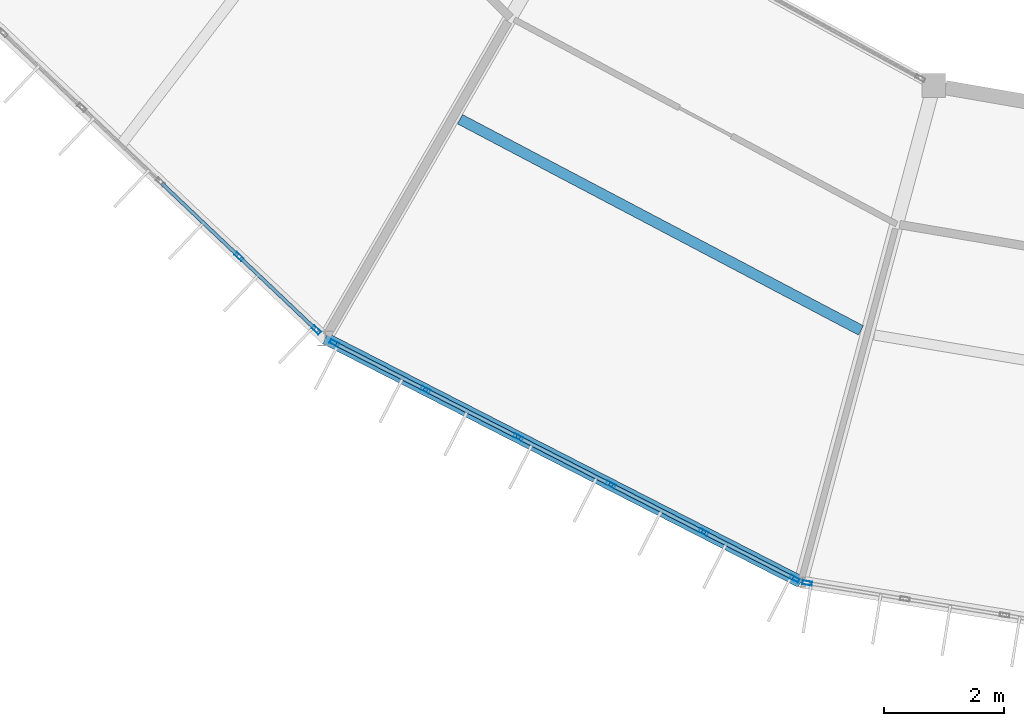
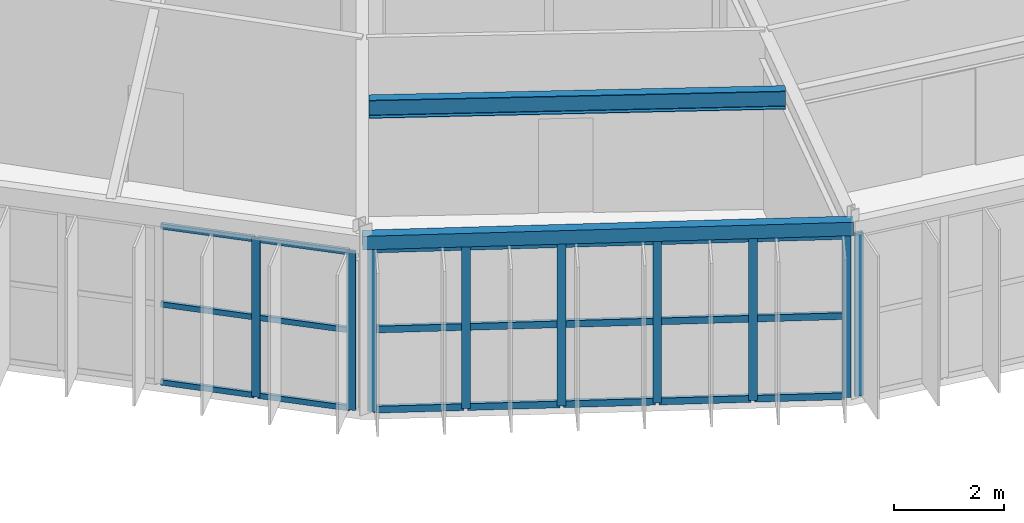
# One storey, part 21 of 134: 30 members, 2 beams, 3 elements without a shape of their own.
"""IFC4 building model written with IfcOpenShell, lengths in metres."""

from ifc_helpers import new_model, si_unit, direction, frame, origin, origin_2d, place, context, subcontext, project, spatial, hollow_rectangle, i_section, extrude, material, material_profile, profile_set, type_object, element, aggregate, save


model = new_model("IFC4")

# Units and contexts
model_context = context("Model", 3, precision=1e-05, world=origin(), true_north=direction((0.0, 1.0)))
body_context = subcontext(model_context, "Body", "Model", "MODEL_VIEW")
ifc_project = project(units=[si_unit("LENGTHUNIT", "METRE"), si_unit("AREAUNIT", "SQUARE_METRE"), si_unit("VOLUMEUNIT", "CUBIC_METRE"), si_unit("PLANEANGLEUNIT", "RADIAN"), si_unit("MASSUNIT", "GRAM", prefix="KILO")], contexts=[model_context])

# Site, building, storey
site_placement = place(None, origin())
site = spatial("IfcSite", under=ifc_project, at=site_placement, CompositionType="ELEMENT")
building_placement = place(site_placement, origin())
building = spatial("IfcBuilding", under=site, at=building_placement, Name="Karori Crest Natural Sciences Institute", CompositionType="ELEMENT")
storey_placement = place(building_placement, frame((0.0, 0.0, 21.699951171875)))
storey = spatial("IfcBuildingStorey", under=building, at=storey_placement, Name="L05", CompositionType="ELEMENT", Elevation=21.699951171875)

# Beams
ifc_material_1 = material(Name="Hollow structural steel AS/NZS 1163 Grade C350", Category="steel")
ifc_material_profile_1 = material_profile(ifc_material_1, hollow_rectangle(XDim=0.199951171875, YDim=0.300048828125, WallThickness=0.010009765625, at=origin_2d()), Name="RHS300x200x10")
ifc_profile_set_1 = profile_set([ifc_material_profile_1], Name="Hollow structural steel AS/NZS 1163 Grade C350")
beam_type_1 = type_object("IfcBeamType", Name="BT-15", PredefinedType="SPANDREL", material=ifc_profile_set_1)
beam_1_placement = place(storey_placement, frame((49.89990234375, 14.566162109375, 3.7900390625), z_axis=(0.890071733872, -0.455820478436, 0.0), x_axis=(0.455820478436, 0.890071733872, 0.0)))
element("IfcBeam", 1, at=beam_1_placement, inside=storey, type_object=beam_type_1, Name="Beam B-0588", PredefinedType="SPANDREL", context=body_context, shape_type="SweptSolid", body=[
    extrude(hollow_rectangle(XDim=0.199951171875, YDim=0.300048828125, WallThickness=0.010009765625, at=origin_2d()), origin(), (0.0, 0.0, 1.0), 8.94189453125),
])
ifc_material_2 = material(Name="Structural steel AS/NZS 3679.1 Grade 350", Category="steel")
ifc_material_profile_2 = material_profile(ifc_material_2, i_section(OverallWidth=0.177978515625, OverallDepth=0.403076171875, WebThickness=0.007568359375, FlangeThickness=0.010986328125, FilletRadius=0.010986328125, at=origin_2d()), Name="410UB53.7")
ifc_profile_set_2 = profile_set([ifc_material_profile_2], Name="Structural steel AS/NZS 3679.1 Grade 350")
beam_type_2 = type_object("IfcBeamType", Name="BT-29", PredefinedType="BEAM", material=ifc_profile_set_2)
beam_2_placement = place(storey_placement, frame((52.15625, 18.234130859375, 3.738525390625), z_axis=(0.884748465601, -0.466068828197, 0.0), x_axis=(0.466068828197, 0.884748465601, 0.0)))
element("IfcBeam", 2, at=beam_2_placement, inside=storey, type_object=beam_type_2, Name="Beam B-0591", PredefinedType="BEAM", context=body_context, shape_type="SweptSolid", body=[
    extrude(i_section(OverallWidth=0.177978515625, OverallDepth=0.403076171875, WebThickness=0.007568359375, FlangeThickness=0.010986328125, FilletRadius=0.010986328125, at=origin_2d()), origin(), (0.0, 0.0, 1.0), 7.58349609375),
])

# Curtain wall, members
ifc_material_3 = material(Name="Anodised architectural aluminium 6063-T6", Category="aluminium")
curtain_wall_type_1 = type_object("IfcCurtainWallType", Name="CWT-06", PredefinedType="NOTDEFINED", material=ifc_material_3)
curtain_wall_1_placement = place(storey_placement, origin())
curtain_wall_1 = element("IfcCurtainWall", 3, at=curtain_wall_1_placement, inside=storey, type_object=curtain_wall_type_1, Name="Curtain wall CW-0195", PredefinedType="NOTDEFINED")
ifc_material_profile_3 = material_profile(ifc_material_3, hollow_rectangle(XDim=0.06494140625, YDim=0.159912109375, WallThickness=0.00390625, at=origin_2d()), Name="CWM160x65x4")
ifc_profile_set_3 = profile_set([ifc_material_profile_3], Name="Anodised architectural aluminium 6063-T6")
member_type_1 = type_object("IfcMemberType", Name="CWM-01", PredefinedType="MULLION", material=ifc_profile_set_3)
member_1_placement = place(storey_placement, frame((49.750732421875, 14.707763671875, 0.0), z_axis=(0.0, 0.0, 1.0), x_axis=(-0.688252251648, -0.725471459192, 0.0)))
member_1 = element("IfcMember", 4, at=member_1_placement, type_object=member_type_1, Name="CW-0195 mullion 1", PredefinedType="MULLION", context=body_context, shape_type="SweptSolid", body=[
    extrude(hollow_rectangle(XDim=0.06494140625, YDim=0.159912109375, WallThickness=0.00390625, at=origin_2d()), origin(), (0.0, 0.0, 1.0), 3.525146484375),
])
member_2_placement = place(storey_placement, frame((48.4580078125, 15.934326171875, 0.0), z_axis=(0.0, 0.0, 1.0), x_axis=(-0.688252251648, -0.725471459192, 0.0)))
member_2 = element("IfcMember", 5, at=member_2_placement, type_object=member_type_1, Name="CW-0195 mullion 2", PredefinedType="MULLION", context=body_context, shape_type="SweptSolid", body=[
    extrude(hollow_rectangle(XDim=0.06494140625, YDim=0.159912109375, WallThickness=0.00390625, at=origin_2d()), origin(), (0.0, 0.0, 1.0), 3.525146484375),
])

curtain_wall_type_2 = type_object("IfcCurtainWallType", Name="CWT-07", PredefinedType="NOTDEFINED", material=ifc_material_3)
curtain_wall_2_placement = place(storey_placement, origin())
curtain_wall_2 = element("IfcCurtainWall", 6, at=curtain_wall_2_placement, inside=storey, type_object=curtain_wall_type_2, Name="Curtain wall CW-0196", PredefinedType="NOTDEFINED")
member_3_placement = place(storey_placement, frame((57.7548828125, 10.54345703125, 0.0), z_axis=(0.0, 0.0, 1.0), x_axis=(-0.455828878252, -0.890067432138, 0.0)))
member_3 = element("IfcMember", 7, at=member_3_placement, type_object=member_type_1, Name="CW-0196 mullion 1", PredefinedType="MULLION", context=body_context, shape_type="SweptSolid", body=[
    extrude(hollow_rectangle(XDim=0.06494140625, YDim=0.159912109375, WallThickness=0.00390625, at=origin_2d()), origin(), (0.0, 0.0, 1.0), 3.625),
])
member_4_placement = place(storey_placement, frame((56.232177734375, 11.323486328125, 0.0), z_axis=(0.0, 0.0, 1.0), x_axis=(-0.455828878252, -0.890067432138, 0.0)))
member_4 = element("IfcMember", 8, at=member_4_placement, type_object=member_type_1, Name="CW-0196 mullion 2", PredefinedType="MULLION", context=body_context, shape_type="SweptSolid", body=[
    extrude(hollow_rectangle(XDim=0.06494140625, YDim=0.159912109375, WallThickness=0.00390625, at=origin_2d()), origin(), (0.0, 0.0, 1.0), 3.625),
])
member_5_placement = place(storey_placement, frame((54.680419921875, 12.1181640625, 0.0), z_axis=(0.0, 0.0, 1.0), x_axis=(-0.455828878252, -0.890067432138, 0.0)))
member_5 = element("IfcMember", 9, at=member_5_placement, type_object=member_type_1, Name="CW-0196 mullion 3", PredefinedType="MULLION", context=body_context, shape_type="SweptSolid", body=[
    extrude(hollow_rectangle(XDim=0.06494140625, YDim=0.159912109375, WallThickness=0.00390625, at=origin_2d()), origin(), (0.0, 0.0, 1.0), 3.625),
])
member_6_placement = place(storey_placement, frame((53.128662109375, 12.912841796875, 0.0), z_axis=(0.0, 0.0, 1.0), x_axis=(-0.455828878252, -0.890067432138, 0.0)))
member_6 = element("IfcMember", 10, at=member_6_placement, type_object=member_type_1, Name="CW-0196 mullion 4", PredefinedType="MULLION", context=body_context, shape_type="SweptSolid", body=[
    extrude(hollow_rectangle(XDim=0.06494140625, YDim=0.159912109375, WallThickness=0.00390625, at=origin_2d()), origin(), (0.0, 0.0, 1.0), 3.625),
])
member_7_placement = place(storey_placement, frame((51.576904296875, 13.70751953125, 0.0), z_axis=(0.0, 0.0, 1.0), x_axis=(-0.455828878252, -0.890067432138, 0.0)))
member_7 = element("IfcMember", 11, at=member_7_placement, type_object=member_type_1, Name="CW-0196 mullion 5", PredefinedType="MULLION", context=body_context, shape_type="SweptSolid", body=[
    extrude(hollow_rectangle(XDim=0.06494140625, YDim=0.159912109375, WallThickness=0.00390625, at=origin_2d()), origin(), (0.0, 0.0, 1.0), 3.625),
])
member_8_placement = place(storey_placement, frame((50.05419921875, 14.4873046875, 0.0), z_axis=(0.0, 0.0, 1.0), x_axis=(-0.455828878252, -0.890067432138, 0.0)))
member_8 = element("IfcMember", 12, at=member_8_placement, type_object=member_type_1, Name="CW-0196 mullion 6", PredefinedType="MULLION", context=body_context, shape_type="SweptSolid", body=[
    extrude(hollow_rectangle(XDim=0.06494140625, YDim=0.159912109375, WallThickness=0.00390625, at=origin_2d()), origin(), (0.0, 0.0, 1.0), 3.625),
])

# Curtain wall, member
curtain_wall_type_3 = type_object("IfcCurtainWallType", Name="CWT-08", PredefinedType="NOTDEFINED", material=ifc_material_3)
curtain_wall_3_placement = place(storey_placement, origin())
curtain_wall_3 = element("IfcCurtainWall", 13, at=curtain_wall_3_placement, inside=storey, type_object=curtain_wall_type_3, Name="Curtain wall CW-0198", PredefinedType="NOTDEFINED")
member_9_placement = place(storey_placement, frame((57.966064453125, 10.472900390625, 0.0), z_axis=(0.0, 0.0, 1.0), x_axis=(-0.160655493101, -0.987010543275, 0.0)))
member_9 = element("IfcMember", 14, at=member_9_placement, type_object=member_type_1, Name="CW-0198 mullion 6", PredefinedType="MULLION", context=body_context, shape_type="SweptSolid", body=[
    extrude(hollow_rectangle(XDim=0.06494140625, YDim=0.159912109375, WallThickness=0.00390625, at=origin_2d()), origin(), (0.0, 0.0, 1.0), 3.625),
])
aggregate(curtain_wall_3, [member_9])

# Member
ifc_material_profile_4 = material_profile(ifc_material_3, hollow_rectangle(XDim=0.06005859375, YDim=0.1201171875, WallThickness=0.00390625, at=origin_2d()), Name="CWT120x60x4")
ifc_profile_set_4 = profile_set([ifc_material_profile_4], Name="Anodised architectural aluminium 6063-T6")
member_type_2 = type_object("IfcMemberType", Name="CWT-TR1", PredefinedType="USERDEFINED", material=ifc_profile_set_4)
member_10_placement = place(storey_placement, frame((49.727294921875, 14.72998046875, 0.030029296875), z_axis=(-0.725485539939, 0.68823740914, 0.0), x_axis=(-0.68823740914, -0.725485539939, 0.0)))
member_10 = element("IfcMember", 15, at=member_10_placement, type_object=member_type_2, Name="CW-0195 transom 1.1", ObjectType="TRANSOM", PredefinedType="USERDEFINED", context=body_context, shape_type="SweptSolid", body=[
    extrude(hollow_rectangle(XDim=0.06005859375, YDim=0.1201171875, WallThickness=0.00390625, at=origin_2d()), origin(), (0.0, 0.0, 1.0), 1.71728515625),
])

member_11_placement = place(storey_placement, frame((49.727294921875, 14.72998046875, 1.762451171875), z_axis=(-0.725485539939, 0.68823740914, 0.0), x_axis=(-0.68823740914, -0.725485539939, 0.0)))
member_11 = element("IfcMember", 16, at=member_11_placement, type_object=member_type_2, Name="CW-0195 transom 1.2", ObjectType="TRANSOM", PredefinedType="USERDEFINED", context=body_context, shape_type="SweptSolid", body=[
    extrude(hollow_rectangle(XDim=0.06005859375, YDim=0.1201171875, WallThickness=0.00390625, at=origin_2d()), origin(), (0.0, 0.0, 1.0), 1.71728515625),
])

member_12_placement = place(storey_placement, frame((49.727294921875, 14.72998046875, 3.4951171875), z_axis=(-0.725485539939, 0.68823740914, 0.0), x_axis=(-0.68823740914, -0.725485539939, 0.0)))
member_12 = element("IfcMember", 17, at=member_12_placement, type_object=member_type_2, Name="CW-0195 transom 1.3", ObjectType="TRANSOM", PredefinedType="USERDEFINED", context=body_context, shape_type="SweptSolid", body=[
    extrude(hollow_rectangle(XDim=0.06005859375, YDim=0.1201171875, WallThickness=0.00390625, at=origin_2d()), origin(), (0.0, 0.0, 1.0), 1.71728515625),
])

member_13_placement = place(storey_placement, frame((48.434326171875, 15.95654296875, 0.030029296875), z_axis=(-0.725420823959, 0.688305621194, 0.0), x_axis=(-0.688305621194, -0.725420823959, 0.0)))
member_13 = element("IfcMember", 18, at=member_13_placement, type_object=member_type_2, Name="CW-0195 transom 2.1", ObjectType="TRANSOM", PredefinedType="USERDEFINED", context=body_context, shape_type="SweptSolid", body=[
    extrude(hollow_rectangle(XDim=0.06005859375, YDim=0.1201171875, WallThickness=0.00390625, at=origin_2d()), origin(), (0.0, 0.0, 1.0), 1.749755859375),
])

member_14_placement = place(storey_placement, frame((48.434326171875, 15.95654296875, 1.762451171875), z_axis=(-0.725420823959, 0.688305621194, 0.0), x_axis=(-0.688305621194, -0.725420823959, 0.0)))
member_14 = element("IfcMember", 19, at=member_14_placement, type_object=member_type_2, Name="CW-0195 transom 2.2", ObjectType="TRANSOM", PredefinedType="USERDEFINED", context=body_context, shape_type="SweptSolid", body=[
    extrude(hollow_rectangle(XDim=0.06005859375, YDim=0.1201171875, WallThickness=0.00390625, at=origin_2d()), origin(), (0.0, 0.0, 1.0), 1.749755859375),
])

member_15_placement = place(storey_placement, frame((48.434326171875, 15.95654296875, 3.4951171875), z_axis=(-0.725420823959, 0.688305621194, 0.0), x_axis=(-0.688305621194, -0.725420823959, 0.0)))
member_15 = element("IfcMember", 20, at=member_15_placement, type_object=member_type_2, Name="CW-0195 transom 2.3", ObjectType="TRANSOM", PredefinedType="USERDEFINED", context=body_context, shape_type="SweptSolid", body=[
    extrude(hollow_rectangle(XDim=0.06005859375, YDim=0.1201171875, WallThickness=0.00390625, at=origin_2d()), origin(), (0.0, 0.0, 1.0), 1.749755859375),
])

aggregate(curtain_wall_1, [member_1, member_2, member_10, member_11, member_12, member_13, member_14, member_15])

ifc_material_profile_5 = material_profile(ifc_material_3, hollow_rectangle(XDim=0.06494140625, YDim=0.14990234375, WallThickness=0.00390625, at=origin_2d()), Name="CWT150x65x4")
ifc_profile_set_5 = profile_set([ifc_material_profile_5], Name="Anodised architectural aluminium 6063-T6")
member_type_3 = type_object("IfcMemberType", Name="CWT-TR2", PredefinedType="USERDEFINED", material=ifc_profile_set_5)
member_16_placement = place(storey_placement, frame((57.725830078125, 10.558349609375, 0.032470703125), z_axis=(-0.890053640935, 0.455855806432, 0.0), x_axis=(-0.455855806432, -0.890053640935, 0.0)))
member_16 = element("IfcMember", 21, at=member_16_placement, type_object=member_type_3, Name="CW-0196 transom 1.1", ObjectType="TRANSOM", PredefinedType="USERDEFINED", context=body_context, shape_type="SweptSolid", body=[
    extrude(hollow_rectangle(XDim=0.06494140625, YDim=0.14990234375, WallThickness=0.00390625, at=origin_2d()), origin(), (0.0, 0.0, 1.0), 1.645751953125),
])

member_17_placement = place(storey_placement, frame((57.725830078125, 10.558349609375, 1.8125), z_axis=(-0.890053640935, 0.455855806432, 0.0), x_axis=(-0.455855806432, -0.890053640935, 0.0)))
member_17 = element("IfcMember", 22, at=member_17_placement, type_object=member_type_3, Name="CW-0196 transom 1.2", ObjectType="TRANSOM", PredefinedType="USERDEFINED", context=body_context, shape_type="SweptSolid", body=[
    extrude(hollow_rectangle(XDim=0.06494140625, YDim=0.14990234375, WallThickness=0.00390625, at=origin_2d()), origin(), (0.0, 0.0, 1.0), 1.645751953125),
])

member_18_placement = place(storey_placement, frame((57.725830078125, 10.558349609375, 3.592529296875), z_axis=(-0.890053640935, 0.455855806432, 0.0), x_axis=(-0.455855806432, -0.890053640935, 0.0)))
member_18 = element("IfcMember", 23, at=member_18_placement, type_object=member_type_3, Name="CW-0196 transom 1.3", ObjectType="TRANSOM", PredefinedType="USERDEFINED", context=body_context, shape_type="SweptSolid", body=[
    extrude(hollow_rectangle(XDim=0.06494140625, YDim=0.14990234375, WallThickness=0.00390625, at=origin_2d()), origin(), (0.0, 0.0, 1.0), 1.645751953125),
])

member_19_placement = place(storey_placement, frame((56.203125, 11.338134765625, 0.032470703125), z_axis=(-0.890050562189, 0.455861817601, 0.0), x_axis=(-0.455861817601, -0.890050562189, 0.0)))
member_19 = element("IfcMember", 24, at=member_19_placement, type_object=member_type_3, Name="CW-0196 transom 2.1", ObjectType="TRANSOM", PredefinedType="USERDEFINED", context=body_context, shape_type="SweptSolid", body=[
    extrude(hollow_rectangle(XDim=0.06494140625, YDim=0.14990234375, WallThickness=0.00390625, at=origin_2d()), origin(), (0.0, 0.0, 1.0), 1.678466796875),
])

member_20_placement = place(storey_placement, frame((56.203125, 11.338134765625, 1.8125), z_axis=(-0.890050562189, 0.455861817601, 0.0), x_axis=(-0.455861817601, -0.890050562189, 0.0)))
member_20 = element("IfcMember", 25, at=member_20_placement, type_object=member_type_3, Name="CW-0196 transom 2.2", ObjectType="TRANSOM", PredefinedType="USERDEFINED", context=body_context, shape_type="SweptSolid", body=[
    extrude(hollow_rectangle(XDim=0.06494140625, YDim=0.14990234375, WallThickness=0.00390625, at=origin_2d()), origin(), (0.0, 0.0, 1.0), 1.678466796875),
])

member_21_placement = place(storey_placement, frame((56.203125, 11.338134765625, 3.592529296875), z_axis=(-0.890050562189, 0.455861817601, 0.0), x_axis=(-0.455861817601, -0.890050562189, 0.0)))
member_21 = element("IfcMember", 26, at=member_21_placement, type_object=member_type_3, Name="CW-0196 transom 2.3", ObjectType="TRANSOM", PredefinedType="USERDEFINED", context=body_context, shape_type="SweptSolid", body=[
    extrude(hollow_rectangle(XDim=0.06494140625, YDim=0.14990234375, WallThickness=0.00390625, at=origin_2d()), origin(), (0.0, 0.0, 1.0), 1.678466796875),
])

member_22_placement = place(storey_placement, frame((54.6513671875, 12.1328125, 0.032470703125), z_axis=(-0.890050562189, 0.455861817601, 0.0), x_axis=(-0.455861817601, -0.890050562189, 0.0)))
member_22 = element("IfcMember", 27, at=member_22_placement, type_object=member_type_3, Name="CW-0196 transom 3.1", ObjectType="TRANSOM", PredefinedType="USERDEFINED", context=body_context, shape_type="SweptSolid", body=[
    extrude(hollow_rectangle(XDim=0.06494140625, YDim=0.14990234375, WallThickness=0.00390625, at=origin_2d()), origin(), (0.0, 0.0, 1.0), 1.678466796875),
])

member_23_placement = place(storey_placement, frame((54.6513671875, 12.1328125, 1.8125), z_axis=(-0.890050562189, 0.455861817601, 0.0), x_axis=(-0.455861817601, -0.890050562189, 0.0)))
member_23 = element("IfcMember", 28, at=member_23_placement, type_object=member_type_3, Name="CW-0196 transom 3.2", ObjectType="TRANSOM", PredefinedType="USERDEFINED", context=body_context, shape_type="SweptSolid", body=[
    extrude(hollow_rectangle(XDim=0.06494140625, YDim=0.14990234375, WallThickness=0.00390625, at=origin_2d()), origin(), (0.0, 0.0, 1.0), 1.678466796875),
])

member_24_placement = place(storey_placement, frame((54.6513671875, 12.1328125, 3.592529296875), z_axis=(-0.890050562189, 0.455861817601, 0.0), x_axis=(-0.455861817601, -0.890050562189, 0.0)))
member_24 = element("IfcMember", 29, at=member_24_placement, type_object=member_type_3, Name="CW-0196 transom 3.3", ObjectType="TRANSOM", PredefinedType="USERDEFINED", context=body_context, shape_type="SweptSolid", body=[
    extrude(hollow_rectangle(XDim=0.06494140625, YDim=0.14990234375, WallThickness=0.00390625, at=origin_2d()), origin(), (0.0, 0.0, 1.0), 1.678466796875),
])

member_25_placement = place(storey_placement, frame((53.099609375, 12.927490234375, 0.032470703125), z_axis=(-0.890020328927, 0.455920841919, 0.0), x_axis=(-0.455920841919, -0.890020328927, 0.0)))
member_25 = element("IfcMember", 30, at=member_25_placement, type_object=member_type_3, Name="CW-0196 transom 4.1", ObjectType="TRANSOM", PredefinedType="USERDEFINED", context=body_context, shape_type="SweptSolid", body=[
    extrude(hollow_rectangle(XDim=0.06494140625, YDim=0.14990234375, WallThickness=0.00390625, at=origin_2d()), origin(), (0.0, 0.0, 1.0), 1.67822265625),
])

member_26_placement = place(storey_placement, frame((53.099609375, 12.927490234375, 1.8125), z_axis=(-0.890020328927, 0.455920841919, 0.0), x_axis=(-0.455920841919, -0.890020328927, 0.0)))
member_26 = element("IfcMember", 31, at=member_26_placement, type_object=member_type_3, Name="CW-0196 transom 4.2", ObjectType="TRANSOM", PredefinedType="USERDEFINED", context=body_context, shape_type="SweptSolid", body=[
    extrude(hollow_rectangle(XDim=0.06494140625, YDim=0.14990234375, WallThickness=0.00390625, at=origin_2d()), origin(), (0.0, 0.0, 1.0), 1.67822265625),
])

member_27_placement = place(storey_placement, frame((53.099609375, 12.927490234375, 3.592529296875), z_axis=(-0.890020328927, 0.455920841919, 0.0), x_axis=(-0.455920841919, -0.890020328927, 0.0)))
member_27 = element("IfcMember", 32, at=member_27_placement, type_object=member_type_3, Name="CW-0196 transom 4.3", ObjectType="TRANSOM", PredefinedType="USERDEFINED", context=body_context, shape_type="SweptSolid", body=[
    extrude(hollow_rectangle(XDim=0.06494140625, YDim=0.14990234375, WallThickness=0.00390625, at=origin_2d()), origin(), (0.0, 0.0, 1.0), 1.67822265625),
])

member_28_placement = place(storey_placement, frame((51.548095703125, 13.72216796875, 0.032470703125), z_axis=(-0.890084461025, 0.455795625518, 0.0), x_axis=(-0.455795625518, -0.890084461025, 0.0)))
member_28 = element("IfcMember", 33, at=member_28_placement, type_object=member_type_3, Name="CW-0196 transom 5.1", ObjectType="TRANSOM", PredefinedType="USERDEFINED", context=body_context, shape_type="SweptSolid", body=[
    extrude(hollow_rectangle(XDim=0.06494140625, YDim=0.14990234375, WallThickness=0.00390625, at=origin_2d()), origin(), (0.0, 0.0, 1.0), 1.64599609375),
])

member_29_placement = place(storey_placement, frame((51.548095703125, 13.72216796875, 1.8125), z_axis=(-0.890084461025, 0.455795625518, 0.0), x_axis=(-0.455795625518, -0.890084461025, 0.0)))
member_29 = element("IfcMember", 34, at=member_29_placement, type_object=member_type_3, Name="CW-0196 transom 5.2", ObjectType="TRANSOM", PredefinedType="USERDEFINED", context=body_context, shape_type="SweptSolid", body=[
    extrude(hollow_rectangle(XDim=0.06494140625, YDim=0.14990234375, WallThickness=0.00390625, at=origin_2d()), origin(), (0.0, 0.0, 1.0), 1.64599609375),
])

member_30_placement = place(storey_placement, frame((51.548095703125, 13.72216796875, 3.592529296875), z_axis=(-0.890084461025, 0.455795625518, 0.0), x_axis=(-0.455795625518, -0.890084461025, 0.0)))
member_30 = element("IfcMember", 35, at=member_30_placement, type_object=member_type_3, Name="CW-0196 transom 5.3", ObjectType="TRANSOM", PredefinedType="USERDEFINED", context=body_context, shape_type="SweptSolid", body=[
    extrude(hollow_rectangle(XDim=0.06494140625, YDim=0.14990234375, WallThickness=0.00390625, at=origin_2d()), origin(), (0.0, 0.0, 1.0), 1.64599609375),
])

aggregate(curtain_wall_2, [member_3, member_4, member_5, member_6, member_7, member_8, member_16, member_17, member_18, member_19, member_20, member_21, member_22, member_23, member_24, member_25, member_26, member_27, member_28, member_29, member_30])

save(model, "model.ifc")
